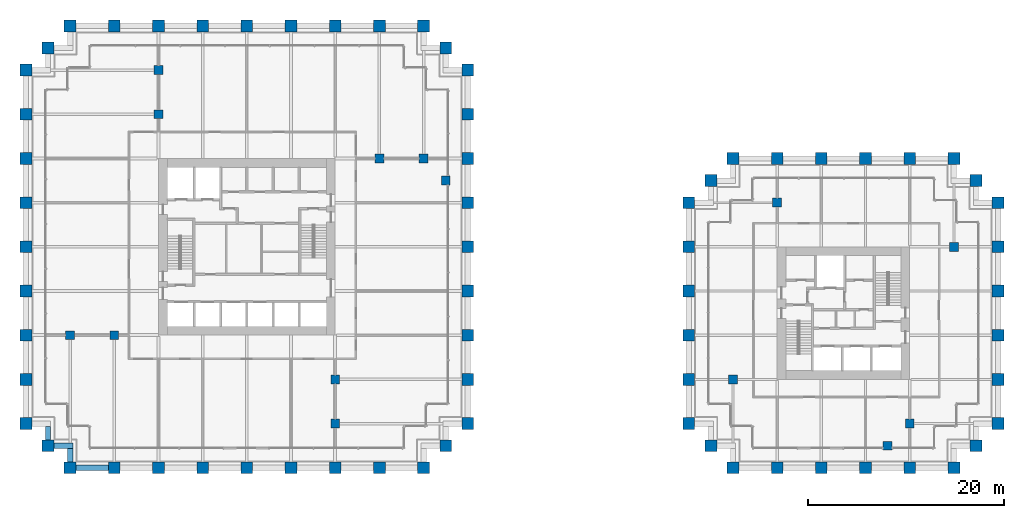
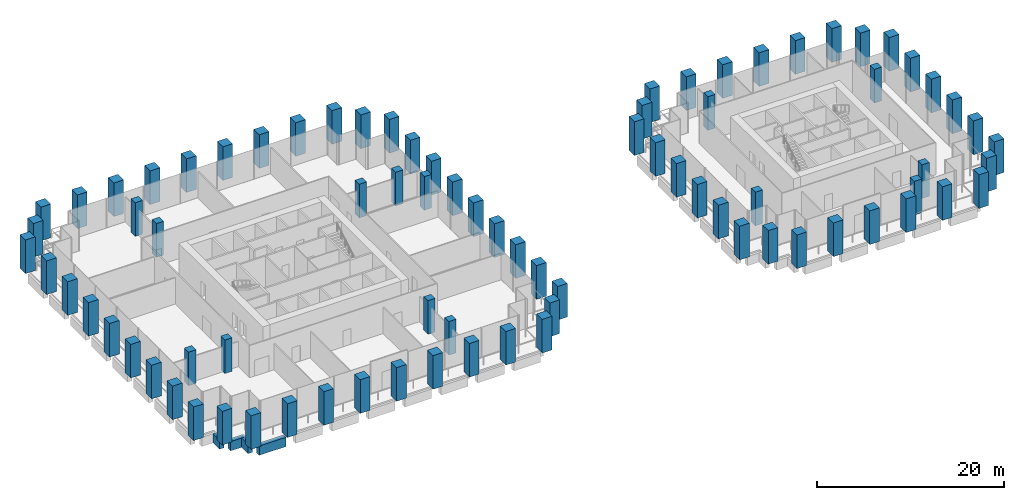
# One storey, part 1 of 36: 82 columns, 4 beams.
"""IFC4 building model written with IfcOpenShell, lengths in metres."""

from ifc_helpers import new_model, si_unit, direction, frame, origin, origin_2d, place, context, subcontext, project, spatial, rectangle, extrude, material, material_profile, profile_set, type_object, element, save


model = new_model("IFC4")

# Units and contexts
model_context = context("Model", 3, precision=1e-05, world=origin(), true_north=direction((0.0, 1.0)))
body_context = subcontext(model_context, "Body", "Model", "MODEL_VIEW")
ifc_project = project(units=[si_unit("LENGTHUNIT", "METRE"), si_unit("AREAUNIT", "SQUARE_METRE"), si_unit("VOLUMEUNIT", "CUBIC_METRE"), si_unit("PLANEANGLEUNIT", "RADIAN"), si_unit("MASSUNIT", "GRAM", prefix="KILO")], contexts=[model_context])

# Site, building, storey
site_placement = place(None, origin())
site = spatial("IfcSite", under=ifc_project, at=site_placement, CompositionType="ELEMENT")
building_placement = place(site_placement, origin())
building = spatial("IfcBuilding", under=site, at=building_placement, Name="Altepetl Exchange Towers", CompositionType="ELEMENT")
storey_placement = place(building_placement, frame((0.0, 0.0, 25.39990234375)))
storey = spatial("IfcBuildingStorey", under=building, at=storey_placement, Name="L05", CompositionType="ELEMENT", Elevation=25.39990234375)

# Columns
ifc_material_1 = material(Name="Concrete C70/85", Category="concrete")
ifc_material_profile_1 = material_profile(ifc_material_1, rectangle(XDim=0.89990234375, YDim=0.89990234375, at=origin_2d()), Name="900 x 900")
ifc_profile_set_1 = profile_set([ifc_material_profile_1], Name="Concrete C70/85")
column_type_1 = type_object("IfcColumnType", Name="Interior column 900", PredefinedType="COLUMN", material=ifc_profile_set_1)
for number, where, name in (
    (1, (31.5, 40.5, 0.0), "col:A:L05:040"),
    (2, (36.0, 40.5, 0.0), "col:A:L05:041"),
    (3, (40.5, 63.0, 0.0), "col:A:L05:042"),
    (4, (40.5, 67.5, 0.0), "col:A:L05:043"),
    (5, (58.5, 31.5, 0.0), "col:A:L05:044"),
    (6, (58.5, 36.0, 0.0), "col:A:L05:045"),
    (7, (63.0, 58.5, 0.0), "col:A:L05:046"),
    (8, (67.5, 58.5, 0.0), "col:A:L05:047"),
    (9, (69.75, 56.25, 0.0), "col:A:L05:048"),
    (10, (99.0, 36.0, 0.0), "col:B:L05:028"),
    (11, (103.5, 54.0, 0.0), "col:B:L05:029"),
    (12, (114.75, 29.25, 0.0), "col:B:L05:030"),
    (13, (117.0, 31.5, 0.0), "col:B:L05:031"),
    (14, (121.5, 49.5, 0.0), "col:B:L05:032"),
):
    element("IfcColumn", number, at=place(storey_placement, frame(where)), inside=storey, type_object=column_type_1, Name=name, PredefinedType="COLUMN", context=body_context, shape_type="SweptSolid", body=[
        extrude(rectangle(XDim=0.89990234375, YDim=0.89990234375, at=origin_2d()), origin(), (0.0, 0.0, 1.0), 4.400146484375),
    ])
ifc_material_2 = material(Name="Concrete C70/85 precast with cantera amarilla facing", Category="concrete")
ifc_material_profile_2 = material_profile(ifc_material_2, rectangle(XDim=1.199951171875, YDim=1.199951171875, at=origin_2d()), Name="1200 x 1200")
ifc_profile_set_2 = profile_set([ifc_material_profile_2], Name="Concrete C70/85 precast with cantera amarilla facing")
column_type_2 = type_object("IfcColumnType", Name="Perimeter column 1200 cantera amarilla", PredefinedType="COLUMN", material=ifc_profile_set_2)
for number, where, name in (
    (15, (58.5, 27.0, 0.0), "col:A:L05:006"),
    (16, (63.0, 27.0, 0.0), "col:A:L05:007"),
    (17, (67.5, 27.0, 0.0), "col:A:L05:008"),
    (18, (69.75, 29.25, 0.0), "col:A:L05:009"),
    (19, (72.0, 31.5, 0.0), "col:A:L05:010"),
    (20, (72.0, 36.0, 0.0), "col:A:L05:011"),
    (21, (72.0, 40.5, 0.0), "col:A:L05:012"),
    (22, (72.0, 45.0, 0.0), "col:A:L05:013"),
    (23, (72.0, 49.5, 0.0), "col:A:L05:014"),
    (24, (72.0, 54.0, 0.0), "col:A:L05:015"),
    (25, (126.0, 49.5, 0.0), "col:B:L05:011"),
    (26, (126.0, 54.0, 0.0), "col:B:L05:012"),
    (27, (123.75, 56.25, 0.0), "col:B:L05:013"),
    (28, (121.5, 58.5, 0.0), "col:B:L05:014"),
    (29, (117.0, 58.5, 0.0), "col:B:L05:015"),
    (30, (112.5, 58.5, 0.0), "col:B:L05:016"),
    (31, (108.0, 58.5, 0.0), "col:B:L05:017"),
):
    element("IfcColumn", number, at=place(storey_placement, frame(where)), inside=storey, type_object=column_type_2, Name=name, PredefinedType="COLUMN", context=body_context, shape_type="SweptSolid", body=[
        extrude(rectangle(XDim=1.199951171875, YDim=1.199951171875, at=origin_2d()), origin(), (0.0, 0.0, 1.0), 4.400146484375),
    ])
ifc_material_3 = material(Name="Concrete C70/85 precast with cantera blanca facing", Category="concrete")
ifc_material_profile_3 = material_profile(ifc_material_3, rectangle(XDim=1.199951171875, YDim=1.199951171875, at=origin_2d()), Name="1200 x 1200")
ifc_profile_set_3 = profile_set([ifc_material_profile_3], Name="Concrete C70/85 precast with cantera blanca facing")
column_type_3 = type_object("IfcColumnType", Name="Perimeter column 1200 cantera blanca", PredefinedType="COLUMN", material=ifc_profile_set_3)
for number, where, name in (
    (32, (31.5, 27.0, 0.0), "col:A:L05:000"),
    (33, (36.0, 27.0, 0.0), "col:A:L05:001"),
    (34, (40.5, 27.0, 0.0), "col:A:L05:002"),
    (35, (45.0, 27.0, 0.0), "col:A:L05:003"),
    (36, (49.5, 27.0, 0.0), "col:A:L05:004"),
    (37, (54.0, 27.0, 0.0), "col:A:L05:005"),
    (38, (27.0, 36.0, 0.0), "col:A:L05:037"),
    (39, (27.0, 31.5, 0.0), "col:A:L05:038"),
    (40, (29.25, 29.25, 0.0), "col:A:L05:039"),
    (41, (117.0, 27.0, 0.0), "col:B:L05:004"),
    (42, (121.5, 27.0, 0.0), "col:B:L05:005"),
    (43, (123.75, 29.25, 0.0), "col:B:L05:006"),
    (44, (126.0, 31.5, 0.0), "col:B:L05:007"),
    (45, (126.0, 36.0, 0.0), "col:B:L05:008"),
    (46, (126.0, 40.5, 0.0), "col:B:L05:009"),
    (47, (126.0, 45.0, 0.0), "col:B:L05:010"),
):
    element("IfcColumn", number, at=place(storey_placement, frame(where)), inside=storey, type_object=column_type_3, Name=name, PredefinedType="COLUMN", context=body_context, shape_type="SweptSolid", body=[
        extrude(rectangle(XDim=1.199951171875, YDim=1.199951171875, at=origin_2d()), origin(), (0.0, 0.0, 1.0), 4.400146484375),
    ])
ifc_material_4 = material(Name="Concrete C70/85 precast with cantera rosa facing", Category="concrete")
ifc_material_profile_4 = material_profile(ifc_material_4, rectangle(XDim=1.199951171875, YDim=1.199951171875, at=origin_2d()), Name="1200 x 1200")
ifc_profile_set_4 = profile_set([ifc_material_profile_4], Name="Concrete C70/85 precast with cantera rosa facing")
column_type_4 = type_object("IfcColumnType", Name="Perimeter column 1200 cantera rosa", PredefinedType="COLUMN", material=ifc_profile_set_4)
for number, where, name in (
    (48, (72.0, 58.5, 0.0), "col:A:L05:016"),
    (49, (72.0, 63.0, 0.0), "col:A:L05:017"),
    (50, (72.0, 67.5, 0.0), "col:A:L05:018"),
    (51, (69.75, 69.75, 0.0), "col:A:L05:019"),
    (52, (67.5, 72.0, 0.0), "col:A:L05:020"),
    (53, (63.0, 72.0, 0.0), "col:A:L05:021"),
    (54, (58.5, 72.0, 0.0), "col:A:L05:022"),
    (55, (54.0, 72.0, 0.0), "col:A:L05:023"),
    (56, (49.5, 72.0, 0.0), "col:A:L05:024"),
    (57, (45.0, 72.0, 0.0), "col:A:L05:025"),
    (58, (103.5, 58.5, 0.0), "col:B:L05:018"),
    (59, (99.0, 58.5, 0.0), "col:B:L05:019"),
    (60, (96.75, 56.25, 0.0), "col:B:L05:020"),
    (61, (94.5, 54.0, 0.0), "col:B:L05:021"),
    (62, (94.5, 49.5, 0.0), "col:B:L05:022"),
    (63, (94.5, 45.0, 0.0), "col:B:L05:023"),
    (64, (94.5, 40.5, 0.0), "col:B:L05:024"),
    (65, (94.5, 36.0, 0.0), "col:B:L05:025"),
):
    element("IfcColumn", number, at=place(storey_placement, frame(where)), inside=storey, type_object=column_type_4, Name=name, PredefinedType="COLUMN", context=body_context, shape_type="SweptSolid", body=[
        extrude(rectangle(XDim=1.199951171875, YDim=1.199951171875, at=origin_2d()), origin(), (0.0, 0.0, 1.0), 4.400146484375),
    ])
ifc_material_5 = material(Name="Concrete C70/85 precast with tezontle facing", Category="concrete")
ifc_material_profile_5 = material_profile(ifc_material_5, rectangle(XDim=1.199951171875, YDim=1.199951171875, at=origin_2d()), Name="1200 x 1200")
ifc_profile_set_5 = profile_set([ifc_material_profile_5], Name="Concrete C70/85 precast with tezontle facing")
column_type_5 = type_object("IfcColumnType", Name="Perimeter column 1200 tezontle", PredefinedType="COLUMN", material=ifc_profile_set_5)
for number, where, name in (
    (66, (40.5, 72.0, 0.0), "col:A:L05:026"),
    (67, (36.0, 72.0, 0.0), "col:A:L05:027"),
    (68, (31.5, 72.0, 0.0), "col:A:L05:028"),
    (69, (29.25, 69.75, 0.0), "col:A:L05:029"),
    (70, (27.0, 67.5, 0.0), "col:A:L05:030"),
    (71, (27.0, 63.0, 0.0), "col:A:L05:031"),
    (72, (27.0, 58.5, 0.0), "col:A:L05:032"),
    (73, (27.0, 54.0, 0.0), "col:A:L05:033"),
    (74, (27.0, 49.5, 0.0), "col:A:L05:034"),
    (75, (27.0, 45.0, 0.0), "col:A:L05:035"),
    (76, (27.0, 40.5, 0.0), "col:A:L05:036"),
    (77, (99.0, 27.0, 0.0), "col:B:L05:000"),
    (78, (103.5, 27.0, 0.0), "col:B:L05:001"),
    (79, (108.0, 27.0, 0.0), "col:B:L05:002"),
    (80, (112.5, 27.0, 0.0), "col:B:L05:003"),
    (81, (94.5, 31.5, 0.0), "col:B:L05:026"),
    (82, (96.75, 29.25, 0.0), "col:B:L05:027"),
):
    element("IfcColumn", number, at=place(storey_placement, frame(where)), inside=storey, type_object=column_type_5, Name=name, PredefinedType="COLUMN", context=body_context, shape_type="SweptSolid", body=[
        extrude(rectangle(XDim=1.199951171875, YDim=1.199951171875, at=origin_2d()), origin(), (0.0, 0.0, 1.0), 4.400146484375),
    ])

# Beams
ifc_material_6 = material(Name="Concrete C50/60 precast with cantera blanca facing", Category="concrete")
ifc_material_profile_6 = material_profile(ifc_material_6, rectangle(XDim=0.550048828125, YDim=1.199951171875, at=origin_2d()), Name="550 x 1200")
ifc_profile_set_6 = profile_set([ifc_material_profile_6], Name="Concrete C50/60 precast with cantera blanca facing")
beam_type = type_object("IfcBeamType", Name="Spandrel beam 550x1200 cantera blanca", PredefinedType="SPANDREL", material=ifc_profile_set_6)
beam_1_placement = place(storey_placement, frame((32.10009765625, 27.0, -0.77490234375), z_axis=(1.0, 0.0, 0.0), x_axis=(0.0, 1.0, 0.0)))
element("IfcBeam", 83, at=beam_1_placement, inside=storey, type_object=beam_type, Name="sp:A:L05:000", PredefinedType="SPANDREL", context=body_context, shape_type="SweptSolid", body=[
    extrude(rectangle(XDim=0.550048828125, YDim=1.199951171875, at=origin_2d()), origin(), (0.0, 0.0, 1.0), 3.2998046875),
])
beam_2_placement = place(storey_placement, frame((29.25, 31.22509765625, -0.77490234375), z_axis=(0.0, -1.0, 0.0), x_axis=(1.0, 0.0, 0.0)))
element("IfcBeam", 84, at=beam_2_placement, inside=storey, type_object=beam_type, Name="sp:A:L05:045", PredefinedType="SPANDREL", context=body_context, shape_type="SweptSolid", body=[
    extrude(rectangle(XDim=0.550048828125, YDim=1.199951171875, at=origin_2d()), origin(), (0.0, 0.0, 1.0), 1.375),
])
beam_3_placement = place(storey_placement, frame((29.85009765625, 29.25, -0.77490234375), z_axis=(1.0, 0.0, 0.0), x_axis=(0.0, 1.0, 0.0)))
element("IfcBeam", 85, at=beam_3_placement, inside=storey, type_object=beam_type, Name="sp:A:L05:046", PredefinedType="SPANDREL", context=body_context, shape_type="SweptSolid", body=[
    extrude(rectangle(XDim=0.550048828125, YDim=1.199951171875, at=origin_2d()), origin(), (0.0, 0.0, 1.0), 1.9248046875),
])
beam_4_placement = place(storey_placement, frame((31.5, 28.97509765625, -0.77490234375), z_axis=(0.0, -1.0, 0.0), x_axis=(1.0, 0.0, 0.0)))
element("IfcBeam", 86, at=beam_4_placement, inside=storey, type_object=beam_type, Name="sp:A:L05:047", PredefinedType="SPANDREL", context=body_context, shape_type="SweptSolid", body=[
    extrude(rectangle(XDim=0.550048828125, YDim=1.199951171875, at=origin_2d()), origin(), (0.0, 0.0, 1.0), 1.375),
])

save(model, "model.ifc")
